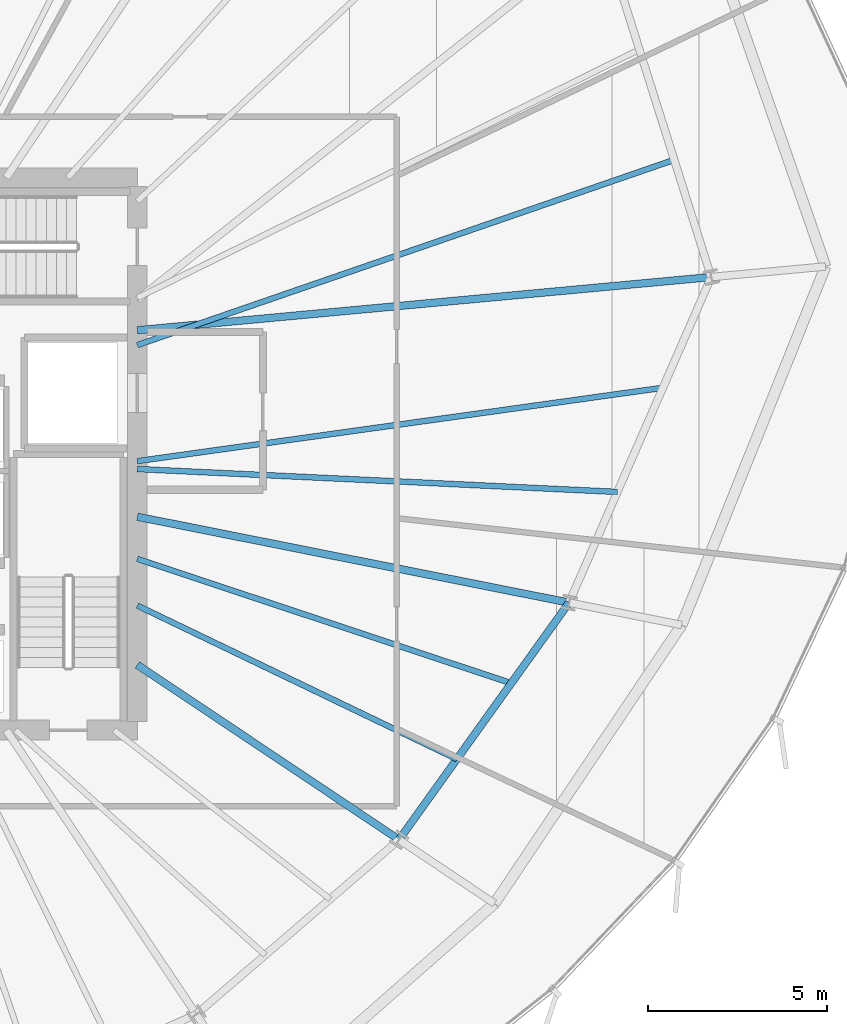
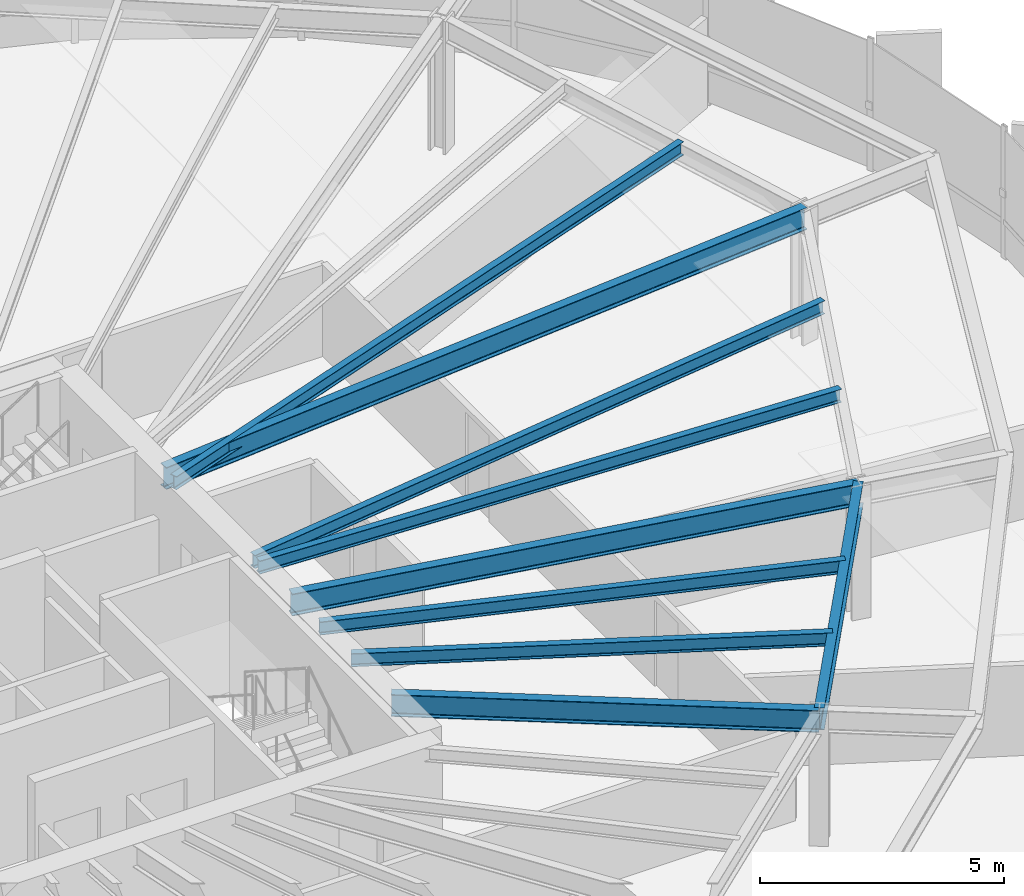
# One storey, part 15 of 35: 9 beams.
"""IFC4 building model written with IfcOpenShell, lengths in metres."""

from ifc_helpers import new_model, si_unit, direction, frame, origin, origin_2d, place, context, subcontext, project, spatial, i_section, extrude, source, transform, mapped, material, material_profile, profile_set, type_object, element, save


model = new_model("IFC4")

# Units and contexts
model_context = context("Model", 3, precision=1e-05, world=origin(), true_north=direction((0.0, 1.0)))
body_context = subcontext(model_context, "Body", "Model", "MODEL_VIEW")
ifc_project = project(units=[si_unit("LENGTHUNIT", "METRE"), si_unit("AREAUNIT", "SQUARE_METRE"), si_unit("VOLUMEUNIT", "CUBIC_METRE"), si_unit("PLANEANGLEUNIT", "RADIAN"), si_unit("MASSUNIT", "GRAM", prefix="KILO"), si_unit("THERMODYNAMICTEMPERATUREUNIT", "KELVIN")], contexts=[model_context])

# Site, building, storey
site_placement = place(None, origin())
site = spatial("IfcSite", under=ifc_project, at=site_placement, CompositionType="ELEMENT")
building_placement = place(site_placement, origin())
building = spatial("IfcBuilding", under=site, at=building_placement, Name="Kethvar Cultural Tower", CompositionType="ELEMENT")
storey_placement = place(building_placement, frame((0.0, 0.0, 107.199951171875)))
storey = spatial("IfcBuildingStorey", under=building, at=storey_placement, Name="L26", CompositionType="ELEMENT", Elevation=107.199951171875)

# Beams
ifc_material = material(Name="Steel S355J2", Category="steel")
ifc_material_profile_1 = material_profile(ifc_material, i_section(OverallWidth=0.2099609375, OverallDepth=0.550048828125, WebThickness=0.010986328125, FlangeThickness=0.01708984375, FilletRadius=0.02392578125, at=origin_2d()), Name="Steel S355J2 — IPE550")
ifc_profile_set_1 = profile_set([ifc_material_profile_1], Name="Steel S355J2 — IPE550")
beam_type_1 = type_object("IfcBeamType", Name="BM-IPE550", PredefinedType="BEAM", material=ifc_profile_set_1)
shared_shape_1 = source(origin(), body_context, "Body", "SweptSolid", [
    extrude(i_section(OverallWidth=0.2099609375, OverallDepth=0.550048828125, WebThickness=0.010986328125, FlangeThickness=0.01708984375, FilletRadius=0.02392578125, at=origin_2d()), origin(), (0.0, 0.0, 1.0), 16.071044921875),
])
beam_1_placement = place(storey_placement, frame((55.60009765625, 31.25, 3.072998046875), z_axis=(0.995731009363, 0.092302529718, 0.0), x_axis=(-0.092302529718, 0.995731009363, 0.0)))
element("IfcBeam", 1, at=beam_1_placement, inside=storey, type_object=beam_type_1, Name="L26 Primary Radial Beam RB-01", PredefinedType="BEAM", context=body_context, shape_type="MappedRepresentation", body=[
    mapped(shared_shape_1, transform((0.0, 0.0, 0.0), scale=1.0)),
])
shared_shape_2 = source(origin(), body_context, "Body", "SweptSolid", [
    extrude(i_section(OverallWidth=0.2099609375, OverallDepth=0.550048828125, WebThickness=0.010986328125, FlangeThickness=0.01708984375, FilletRadius=0.02392578125, at=origin_2d()), origin(), (0.0, 0.0, 1.0), 8.77783203125),
])
beam_2_placement = place(storey_placement, frame((55.60009765625, 21.919921875, 3.072998046875), z_axis=(0.831472186778, -0.555566380026, 0.0), x_axis=(0.555566380026, 0.831472186778, 0.0)))
element("IfcBeam", 2, at=beam_2_placement, inside=storey, type_object=beam_type_1, Name="L26 Primary Radial Beam RB-15", PredefinedType="BEAM", context=body_context, shape_type="MappedRepresentation", body=[
    mapped(shared_shape_2, transform((0.0, 0.0, 0.0), scale=1.0)),
])
shared_shape_3 = source(origin(), body_context, "Body", "SweptSolid", [
    extrude(i_section(OverallWidth=0.2099609375, OverallDepth=0.550048828125, WebThickness=0.010986328125, FlangeThickness=0.01708984375, FilletRadius=0.02392578125, at=origin_2d()), origin(), (0.0, 0.0, 1.0), 12.2744140625),
])
beam_3_placement = place(storey_placement, frame((55.60009765625, 26.049560546875, 3.072998046875), z_axis=(0.980782878234, -0.195102398146, 0.0), x_axis=(0.195102398146, 0.980782878234, 0.0)))
element("IfcBeam", 3, at=beam_3_placement, inside=storey, type_object=beam_type_1, Name="L26 Primary Radial Beam RB-16", PredefinedType="BEAM", context=body_context, shape_type="MappedRepresentation", body=[
    mapped(shared_shape_3, transform((0.0, 0.0, 0.0), scale=1.0)),
])
ifc_material_profile_2 = material_profile(ifc_material, i_section(OverallWidth=0.159912109375, OverallDepth=0.330078125, WebThickness=0.007568359375, FlangeThickness=0.011474609375, FilletRadius=0.01806640625, at=origin_2d()), Name="Steel S355J2 — IPE330")
ifc_profile_set_2 = profile_set([ifc_material_profile_2], Name="Steel S355J2 — IPE330")
beam_type_2 = type_object("IfcBeamType", Name="BM-J330", PredefinedType="JOIST", material=ifc_profile_set_2)
shared_shape_4 = source(origin(), body_context, "Body", "SweptSolid", [
    extrude(i_section(OverallWidth=0.159912109375, OverallDepth=0.330078125, WebThickness=0.007568359375, FlangeThickness=0.011474609375, FilletRadius=0.01806640625, at=origin_2d()), origin(), (0.0, 0.0, 1.0), 15.836669921875),
])
beam_4_placement = place(storey_placement, frame((55.60009765625, 30.836181640625, 3.18310546875), z_axis=(0.945315135904, 0.326158387644, 0.0), x_axis=(-0.326158387644, 0.945315135904, 0.0)))
element("IfcBeam", 4, at=beam_4_placement, inside=storey, type_object=beam_type_2, Name="L26 Composite Floor Joist J-01A", PredefinedType="JOIST", context=body_context, shape_type="MappedRepresentation", body=[
    mapped(shared_shape_4, transform((0.0, 0.0, 0.0), scale=1.0)),
])
shared_shape_5 = source(origin(), body_context, "Body", "SweptSolid", [
    extrude(i_section(OverallWidth=0.2099609375, OverallDepth=0.550048828125, WebThickness=0.010986328125, FlangeThickness=0.01708984375, FilletRadius=0.02392578125, at=origin_2d()), origin(), (0.0, 0.0, 1.0), 8.13525390625),
])
beam_5_placement = place(storey_placement, frame((62.898681640625, 17.043212890625, 3.072998046875), z_axis=(0.582656731995, 0.812718359988, 0.0), x_axis=(-0.812718359988, 0.582656731995, 0.0)))
element("IfcBeam", 5, at=beam_5_placement, inside=storey, type_object=beam_type_1, Name="L26 Column Ring Tie Beam CR-15", PredefinedType="BEAM", context=body_context, shape_type="MappedRepresentation", body=[
    mapped(shared_shape_5, transform((0.0, 0.0, 0.0), scale=1.0)),
])
shared_shape_6 = source(origin(), body_context, "Body", "SweptSolid", [
    extrude(i_section(OverallWidth=0.159912109375, OverallDepth=0.330078125, WebThickness=0.007568359375, FlangeThickness=0.011474609375, FilletRadius=0.01806640625, at=origin_2d()), origin(), (0.0, 0.0, 1.0), 9.885009765625),
])
beam_6_placement = place(storey_placement, frame((55.60009765625, 23.572021484375, 3.18310546875), z_axis=(0.901369611334, -0.43305060185, 0.0), x_axis=(0.43305060185, 0.901369611334, 0.0)))
element("IfcBeam", 6, at=beam_6_placement, inside=storey, type_object=beam_type_2, Name="L26 Composite Floor Joist J-15A", PredefinedType="JOIST", context=body_context, shape_type="MappedRepresentation", body=[
    mapped(shared_shape_6, transform((0.0, 0.0, 0.0), scale=1.0)),
])
shared_shape_7 = source(origin(), body_context, "Body", "SweptSolid", [
    extrude(i_section(OverallWidth=0.159912109375, OverallDepth=0.330078125, WebThickness=0.007568359375, FlangeThickness=0.011474609375, FilletRadius=0.01806640625, at=origin_2d()), origin(), (0.0, 0.0, 1.0), 10.98828125),
])
beam_7_placement = place(storey_placement, frame((55.60009765625, 24.8740234375, 3.18310546875), z_axis=(0.948918548228, -0.315521138481, 0.0), x_axis=(0.315521138481, 0.948918548228, 0.0)))
element("IfcBeam", 7, at=beam_7_placement, inside=storey, type_object=beam_type_2, Name="L26 Composite Floor Joist J-15B", PredefinedType="JOIST", context=body_context, shape_type="MappedRepresentation", body=[
    mapped(shared_shape_7, transform((0.0, 0.0, 0.0), scale=1.0)),
])
shared_shape_8 = source(origin(), body_context, "Body", "SweptSolid", [
    extrude(i_section(OverallWidth=0.159912109375, OverallDepth=0.330078125, WebThickness=0.007568359375, FlangeThickness=0.011474609375, FilletRadius=0.01806640625, at=origin_2d()), origin(), (0.0, 0.0, 1.0), 13.4013671875),
])
beam_8_placement = place(storey_placement, frame((55.60009765625, 27.380126953125, 3.18310546875), z_axis=(0.998864631653, -0.047638719894, 0.0), x_axis=(0.047638719894, 0.998864631653, 0.0)))
element("IfcBeam", 8, at=beam_8_placement, inside=storey, type_object=beam_type_2, Name="L26 Composite Floor Joist J-16A", PredefinedType="JOIST", context=body_context, shape_type="MappedRepresentation", body=[
    mapped(shared_shape_8, transform((0.0, 0.0, 0.0), scale=1.0)),
])
shared_shape_9 = source(origin(), body_context, "Body", "SweptSolid", [
    extrude(i_section(OverallWidth=0.159912109375, OverallDepth=0.330078125, WebThickness=0.007568359375, FlangeThickness=0.011474609375, FilletRadius=0.01806640625, at=origin_2d()), origin(), (0.0, 0.0, 1.0), 14.797119140625),
])
beam_9_placement = place(storey_placement, frame((55.60009765625, 27.60009765625, 3.18310546875), z_axis=(0.990388450305, 0.138313836986, 0.0), x_axis=(-0.138313836986, 0.990388450305, 0.0)))
element("IfcBeam", 9, at=beam_9_placement, inside=storey, type_object=beam_type_2, Name="L26 Composite Floor Joist J-16B", PredefinedType="JOIST", context=body_context, shape_type="MappedRepresentation", body=[
    mapped(shared_shape_9, transform((0.0, 0.0, 0.0), scale=1.0)),
])

save(model, "model.ifc")
